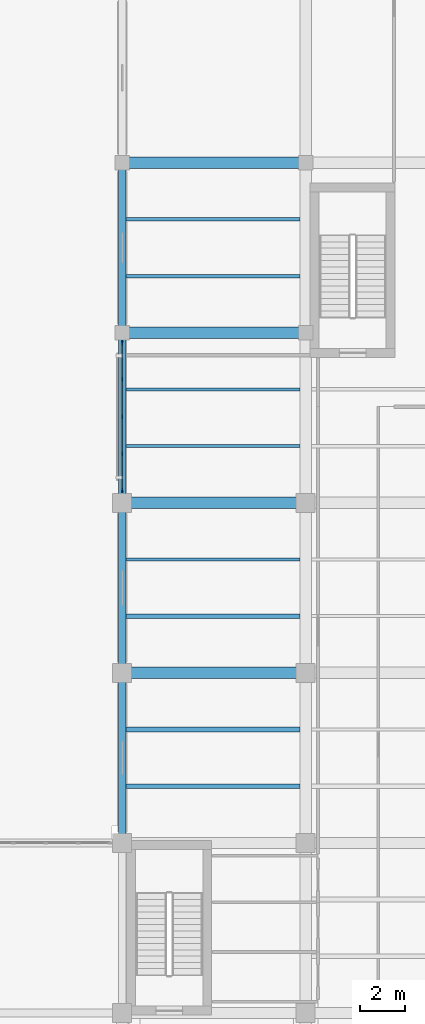
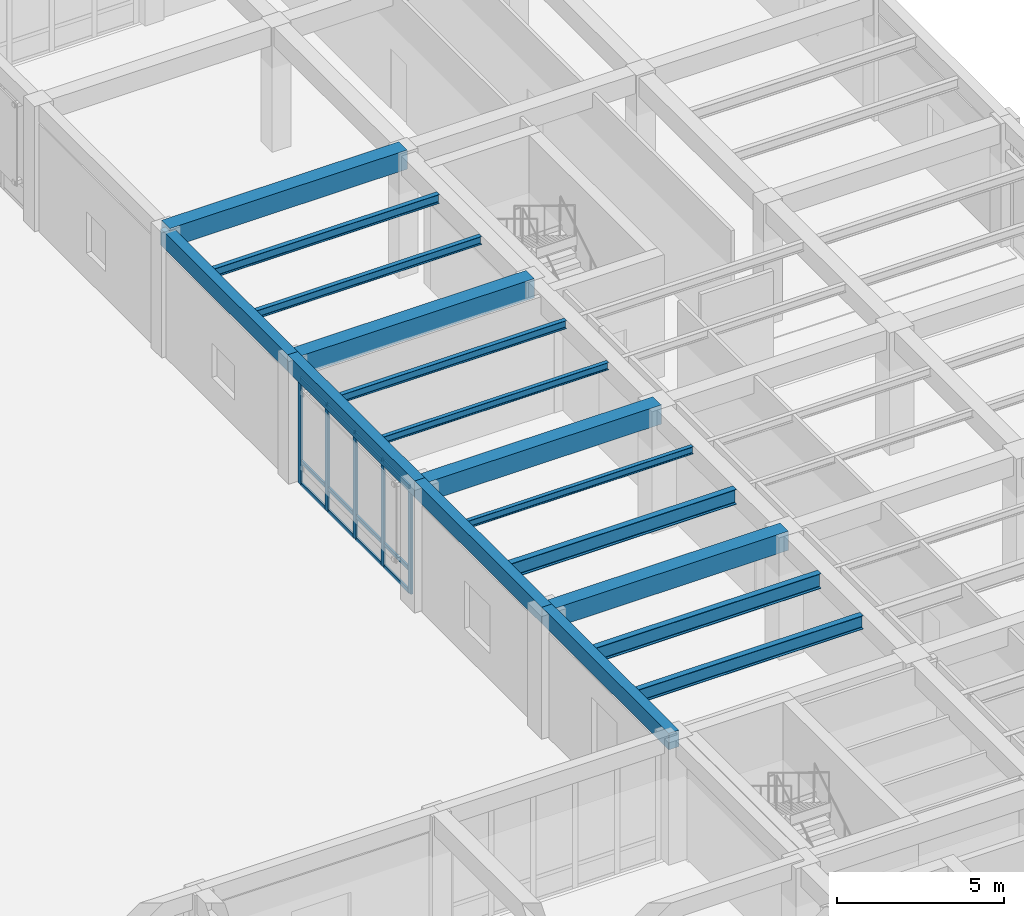
# One storey, part 5 of 23: 17 members, 16 beams, 1 element without a shape of its own.
"""IFC4 building model written with IfcOpenShell, lengths in metres."""

from ifc_helpers import new_model, si_unit, direction, frame, origin, origin_2d, place, context, subcontext, project, spatial, rectangle, i_section, extrude, material, material_profile, profile_set, type_object, element, aggregate, save


model = new_model("IFC4")

# Units and contexts
model_context = context("Model", 3, precision=1e-05, world=origin(), true_north=direction((0.0, 1.0)))
body_context = subcontext(model_context, "Body", "Model", "MODEL_VIEW")
ifc_project = project(units=[si_unit("LENGTHUNIT", "METRE"), si_unit("AREAUNIT", "SQUARE_METRE"), si_unit("VOLUMEUNIT", "CUBIC_METRE"), si_unit("PLANEANGLEUNIT", "RADIAN"), si_unit("MASSUNIT", "GRAM", prefix="KILO")], contexts=[model_context])

# Site, building, storey
site_placement = place(None, origin())
site = spatial("IfcSite", under=ifc_project, at=site_placement, CompositionType="ELEMENT")
building_placement = place(site_placement, origin())
building = spatial("IfcBuilding", under=site, at=building_placement, Name="Qandaris Square Conservatory and Botanical Centre", CompositionType="ELEMENT")
storey_placement = place(building_placement, frame((0.0, 0.0, 15.0)))
storey = spatial("IfcBuildingStorey", under=building, at=storey_placement, Name="L03", CompositionType="ELEMENT", Elevation=15.0)

# Beams
ifc_material_1 = material(Name="Steel S355", Category="steel")
ifc_material_profile_1 = material_profile(ifc_material_1, i_section(OverallWidth=0.199951171875, OverallDepth=0.5, WebThickness=0.01025390625, FlangeThickness=0.01611328125, FilletRadius=0.02099609375, at=origin_2d()), Name="IPE 500")
ifc_profile_set_1 = profile_set([ifc_material_profile_1], Name="Steel S355")
beam_type_1 = type_object("IfcBeamType", Name="Composite Gallery Joist IPE 500", PredefinedType="JOIST", material=ifc_profile_set_1)
beam_1_placement = place(storey_placement, frame((139.375, 49.533203125, 4.219970703125), z_axis=(1.0, 0.0, 0.0), x_axis=(0.0, 1.0, 0.0)))
element("IfcBeam", 1, at=beam_1_placement, inside=storey, type_object=beam_type_1, Name="L03 Composite Joist 1654", PredefinedType="JOIST", context=body_context, shape_type="SweptSolid", body=[
    extrude(i_section(OverallWidth=0.199951171875, OverallDepth=0.5, WebThickness=0.01025390625, FlangeThickness=0.01611328125, FilletRadius=0.02099609375, at=origin_2d()), origin(), (0.0, 0.0, 1.0), 7.77490234375),
])
ifc_material_profile_2 = material_profile(ifc_material_1, i_section(OverallWidth=0.14990234375, OverallDepth=0.300048828125, WebThickness=0.007080078125, FlangeThickness=0.0107421875, FilletRadius=0.014892578125, at=origin_2d()), Name="IPE 300")
ifc_profile_set_2 = profile_set([ifc_material_profile_2], Name="Steel S355")
beam_type_2 = type_object("IfcBeamType", Name="Composite Lab Joist IPE 300", PredefinedType="JOIST", material=ifc_profile_set_2)
for number, where, z_axis, x_axis, name in (
    (2, (139.375, 67.2666015625, 4.320068359375), (1.0, 0.0, 0.0), (0.0, 1.0, 0.0), "L03 Composite Joist 1659"),
    (3, (139.375, 72.333251953125, 4.320068359375), (1.0, 0.0, 0.0), (0.0, 1.0, 0.0), "L03 Composite Joist 1660"),
):
    element("IfcBeam", number, at=place(storey_placement, frame(where, z_axis=z_axis, x_axis=x_axis)), inside=storey, type_object=beam_type_2, Name=name, PredefinedType="JOIST", context=body_context, shape_type="SweptSolid", body=[
        extrude(i_section(OverallWidth=0.14990234375, OverallDepth=0.300048828125, WebThickness=0.007080078125, FlangeThickness=0.0107421875, FilletRadius=0.014892578125, at=origin_2d()), origin(), (0.0, 0.0, 1.0), 7.77490234375),
    ])
ifc_material_profile_3 = material_profile(ifc_material_1, i_section(OverallWidth=0.159912109375, OverallDepth=0.330078125, WebThickness=0.007568359375, FlangeThickness=0.011474609375, FilletRadius=0.01806640625, at=origin_2d()), Name="IPE 330")
ifc_profile_set_3 = profile_set([ifc_material_profile_3], Name="Steel S355")
beam_type_3 = type_object("IfcBeamType", Name="Composite Lab Joist IPE 330", PredefinedType="JOIST", material=ifc_profile_set_3)
beam_2_placement = place(storey_placement, frame((139.375, 74.86669921875, 4.304931640625), z_axis=(1.0, 0.0, 0.0), x_axis=(0.0, 1.0, 0.0)))
element("IfcBeam", 4, at=beam_2_placement, inside=storey, type_object=beam_type_3, Name="L03 Composite Joist 1661", PredefinedType="JOIST", context=body_context, shape_type="SweptSolid", body=[
    extrude(i_section(OverallWidth=0.159912109375, OverallDepth=0.330078125, WebThickness=0.007568359375, FlangeThickness=0.011474609375, FilletRadius=0.01806640625, at=origin_2d()), origin(), (0.0, 0.0, 1.0), 7.77490234375),
])

# Curtain wall, members
ifc_material_2 = material(Name="Anodised Aluminium", Category="aluminium")
curtain_wall_type = type_object("IfcCurtainWallType", Name="Unitised Curtain Wall CW-4-665x388", PredefinedType="USERDEFINED", material=ifc_material_2)
curtain_wall_placement = place(storey_placement, origin())
curtain_wall = element("IfcCurtainWall", 5, at=curtain_wall_placement, inside=storey, type_object=curtain_wall_type, Name="Curtain Wall CW-TWR-L03-4-4", ObjectType="GLAZED CURTAIN WALL", PredefinedType="USERDEFINED")
ifc_material_profile_4 = material_profile(ifc_material_2, rectangle(XDim=0.06494140625, YDim=0.179931640625, at=origin_2d()), Name="ALU-MUL 65x180")
ifc_profile_set_4 = profile_set([ifc_material_profile_4], Name="Anodised Aluminium")
member_type_1 = type_object("IfcMemberType", Name="Curtain Wall Mullion 65x180", PredefinedType="MULLION", material=ifc_profile_set_4)
member_1_placement = place(storey_placement, frame((139.199951171875, 69.342529296875, 0.0), z_axis=(0.0, 0.0, 1.0), x_axis=(1.0, 0.0, 0.0)))
member_1 = element("IfcMember", 6, at=member_1_placement, type_object=member_type_1, Name="CW-4-665x388 mullion 1", PredefinedType="MULLION", context=body_context, shape_type="SweptSolid", body=[
    extrude(rectangle(XDim=0.06494140625, YDim=0.179931640625, at=origin_2d()), origin(), (0.0, 0.0, 1.0), 3.8798828125),
])
member_2_placement = place(storey_placement, frame((139.199951171875, 67.71240234375, 0.0), z_axis=(0.0, 0.0, 1.0), x_axis=(1.0, 0.0, 0.0)))
member_2 = element("IfcMember", 7, at=member_2_placement, type_object=member_type_1, Name="CW-4-665x388 mullion 2", PredefinedType="MULLION", context=body_context, shape_type="SweptSolid", body=[
    extrude(rectangle(XDim=0.06494140625, YDim=0.179931640625, at=origin_2d()), origin(), (0.0, 0.0, 1.0), 3.8798828125),
])
member_3_placement = place(storey_placement, frame((139.199951171875, 66.050048828125, 0.0), z_axis=(0.0, 0.0, 1.0), x_axis=(1.0, 0.0, 0.0)))
member_3 = element("IfcMember", 8, at=member_3_placement, type_object=member_type_1, Name="CW-4-665x388 mullion 3", PredefinedType="MULLION", context=body_context, shape_type="SweptSolid", body=[
    extrude(rectangle(XDim=0.06494140625, YDim=0.179931640625, at=origin_2d()), origin(), (0.0, 0.0, 1.0), 3.8798828125),
])
member_4_placement = place(storey_placement, frame((139.199951171875, 64.387451171875, 0.0), z_axis=(0.0, 0.0, 1.0), x_axis=(1.0, 0.0, 0.0)))
member_4 = element("IfcMember", 9, at=member_4_placement, type_object=member_type_1, Name="CW-4-665x388 mullion 4", PredefinedType="MULLION", context=body_context, shape_type="SweptSolid", body=[
    extrude(rectangle(XDim=0.06494140625, YDim=0.179931640625, at=origin_2d()), origin(), (0.0, 0.0, 1.0), 3.8798828125),
])
member_5_placement = place(storey_placement, frame((139.199951171875, 62.757568359375, 0.0), z_axis=(0.0, 0.0, 1.0), x_axis=(1.0, 0.0, 0.0)))
member_5 = element("IfcMember", 10, at=member_5_placement, type_object=member_type_1, Name="CW-4-665x388 mullion 5", PredefinedType="MULLION", context=body_context, shape_type="SweptSolid", body=[
    extrude(rectangle(XDim=0.06494140625, YDim=0.179931640625, at=origin_2d()), origin(), (0.0, 0.0, 1.0), 3.8798828125),
])
ifc_material_profile_5 = material_profile(ifc_material_2, rectangle(XDim=0.06494140625, YDim=0.139892578125, at=origin_2d()), Name="ALU-TRN 65x140")
ifc_profile_set_5 = profile_set([ifc_material_profile_5], Name="Anodised Aluminium")
member_type_2 = type_object("IfcMemberType", Name="Curtain Wall Transom 65x140", PredefinedType="USERDEFINED", material=ifc_profile_set_5)
member_6_placement = place(storey_placement, frame((139.199951171875, 69.31005859375, 0.032470703125), z_axis=(0.0, -1.0, 0.0), x_axis=(1.0, 0.0, 0.0)))
member_6 = element("IfcMember", 11, at=member_6_placement, type_object=member_type_2, Name="CW-4-665x388 transom 1.1", ObjectType="TRANSOM", PredefinedType="USERDEFINED", context=body_context, shape_type="SweptSolid", body=[
    extrude(rectangle(XDim=0.06494140625, YDim=0.139892578125, at=origin_2d()), origin(), (0.0, 0.0, 1.0), 1.56494140625),
])
member_7_placement = place(storey_placement, frame((139.199951171875, 69.31005859375, 0.85009765625), z_axis=(0.0, -1.0, 0.0), x_axis=(1.0, 0.0, 0.0)))
member_7 = element("IfcMember", 12, at=member_7_placement, type_object=member_type_2, Name="CW-4-665x388 transom 1.2", ObjectType="TRANSOM", PredefinedType="USERDEFINED", context=body_context, shape_type="SweptSolid", body=[
    extrude(rectangle(XDim=0.06494140625, YDim=0.139892578125, at=origin_2d()), origin(), (0.0, 0.0, 1.0), 1.56494140625),
])
member_8_placement = place(storey_placement, frame((139.199951171875, 69.31005859375, 3.847412109375), z_axis=(0.0, -1.0, 0.0), x_axis=(1.0, 0.0, 0.0)))
member_8 = element("IfcMember", 13, at=member_8_placement, type_object=member_type_2, Name="CW-4-665x388 transom 1.3", ObjectType="TRANSOM", PredefinedType="USERDEFINED", context=body_context, shape_type="SweptSolid", body=[
    extrude(rectangle(XDim=0.06494140625, YDim=0.139892578125, at=origin_2d()), origin(), (0.0, 0.0, 1.0), 1.56494140625),
])
member_9_placement = place(storey_placement, frame((139.199951171875, 67.679931640625, 0.032470703125), z_axis=(0.0, -1.0, 0.0), x_axis=(1.0, 0.0, 0.0)))
member_9 = element("IfcMember", 14, at=member_9_placement, type_object=member_type_2, Name="CW-4-665x388 transom 2.1", ObjectType="TRANSOM", PredefinedType="USERDEFINED", context=body_context, shape_type="SweptSolid", body=[
    extrude(rectangle(XDim=0.06494140625, YDim=0.139892578125, at=origin_2d()), origin(), (0.0, 0.0, 1.0), 1.597412109375),
])
member_10_placement = place(storey_placement, frame((139.199951171875, 67.679931640625, 0.85009765625), z_axis=(0.0, -1.0, 0.0), x_axis=(1.0, 0.0, 0.0)))
member_10 = element("IfcMember", 15, at=member_10_placement, type_object=member_type_2, Name="CW-4-665x388 transom 2.2", ObjectType="TRANSOM", PredefinedType="USERDEFINED", context=body_context, shape_type="SweptSolid", body=[
    extrude(rectangle(XDim=0.06494140625, YDim=0.139892578125, at=origin_2d()), origin(), (0.0, 0.0, 1.0), 1.597412109375),
])
member_11_placement = place(storey_placement, frame((139.199951171875, 67.679931640625, 3.847412109375), z_axis=(0.0, -1.0, 0.0), x_axis=(1.0, 0.0, 0.0)))
member_11 = element("IfcMember", 16, at=member_11_placement, type_object=member_type_2, Name="CW-4-665x388 transom 2.3", ObjectType="TRANSOM", PredefinedType="USERDEFINED", context=body_context, shape_type="SweptSolid", body=[
    extrude(rectangle(XDim=0.06494140625, YDim=0.139892578125, at=origin_2d()), origin(), (0.0, 0.0, 1.0), 1.597412109375),
])
member_12_placement = place(storey_placement, frame((139.199951171875, 66.017578125, 0.032470703125), z_axis=(0.0, -1.0, 0.0), x_axis=(1.0, 0.0, 0.0)))
member_12 = element("IfcMember", 17, at=member_12_placement, type_object=member_type_2, Name="CW-4-665x388 transom 3.1", ObjectType="TRANSOM", PredefinedType="USERDEFINED", context=body_context, shape_type="SweptSolid", body=[
    extrude(rectangle(XDim=0.06494140625, YDim=0.139892578125, at=origin_2d()), origin(), (0.0, 0.0, 1.0), 1.59765625),
])
member_13_placement = place(storey_placement, frame((139.199951171875, 66.017578125, 0.85009765625), z_axis=(0.0, -1.0, 0.0), x_axis=(1.0, 0.0, 0.0)))
member_13 = element("IfcMember", 18, at=member_13_placement, type_object=member_type_2, Name="CW-4-665x388 transom 3.2", ObjectType="TRANSOM", PredefinedType="USERDEFINED", context=body_context, shape_type="SweptSolid", body=[
    extrude(rectangle(XDim=0.06494140625, YDim=0.139892578125, at=origin_2d()), origin(), (0.0, 0.0, 1.0), 1.59765625),
])
member_14_placement = place(storey_placement, frame((139.199951171875, 66.017578125, 3.847412109375), z_axis=(0.0, -1.0, 0.0), x_axis=(1.0, 0.0, 0.0)))
member_14 = element("IfcMember", 19, at=member_14_placement, type_object=member_type_2, Name="CW-4-665x388 transom 3.3", ObjectType="TRANSOM", PredefinedType="USERDEFINED", context=body_context, shape_type="SweptSolid", body=[
    extrude(rectangle(XDim=0.06494140625, YDim=0.139892578125, at=origin_2d()), origin(), (0.0, 0.0, 1.0), 1.59765625),
])
member_15_placement = place(storey_placement, frame((139.199951171875, 64.35498046875, 0.032470703125), z_axis=(0.0, -1.0, 0.0), x_axis=(1.0, 0.0, 0.0)))
member_15 = element("IfcMember", 20, at=member_15_placement, type_object=member_type_2, Name="CW-4-665x388 transom 4.1", ObjectType="TRANSOM", PredefinedType="USERDEFINED", context=body_context, shape_type="SweptSolid", body=[
    extrude(rectangle(XDim=0.06494140625, YDim=0.139892578125, at=origin_2d()), origin(), (0.0, 0.0, 1.0), 1.56494140625),
])
member_16_placement = place(storey_placement, frame((139.199951171875, 64.35498046875, 0.85009765625), z_axis=(0.0, -1.0, 0.0), x_axis=(1.0, 0.0, 0.0)))
member_16 = element("IfcMember", 21, at=member_16_placement, type_object=member_type_2, Name="CW-4-665x388 transom 4.2", ObjectType="TRANSOM", PredefinedType="USERDEFINED", context=body_context, shape_type="SweptSolid", body=[
    extrude(rectangle(XDim=0.06494140625, YDim=0.139892578125, at=origin_2d()), origin(), (0.0, 0.0, 1.0), 1.56494140625),
])
member_17_placement = place(storey_placement, frame((139.199951171875, 64.35498046875, 3.847412109375), z_axis=(0.0, -1.0, 0.0), x_axis=(1.0, 0.0, 0.0)))
member_17 = element("IfcMember", 22, at=member_17_placement, type_object=member_type_2, Name="CW-4-665x388 transom 4.3", ObjectType="TRANSOM", PredefinedType="USERDEFINED", context=body_context, shape_type="SweptSolid", body=[
    extrude(rectangle(XDim=0.06494140625, YDim=0.139892578125, at=origin_2d()), origin(), (0.0, 0.0, 1.0), 1.56494140625),
])
aggregate(curtain_wall, [member_1, member_2, member_3, member_4, member_5, member_6, member_7, member_8, member_9, member_10, member_11, member_12, member_13, member_14, member_15, member_16, member_17])

# Beams
ifc_material_profile_6 = material_profile(ifc_material_1, i_section(OverallWidth=0.2099609375, OverallDepth=0.550048828125, WebThickness=0.010986328125, FlangeThickness=0.01708984375, FilletRadius=0.02392578125, at=origin_2d()), Name="IPE 550")
ifc_profile_set_6 = profile_set([ifc_material_profile_6], Name="Steel S355")
beam_type_4 = type_object("IfcBeamType", Name="Long-Span Foyer Joist IPE 550", PredefinedType="JOIST", material=ifc_profile_set_6)
for number, where, z_axis, x_axis, name in (
    (23, (139.375, 52.066650390625, 4.195068359375), (1.0, 0.0, 0.0), (0.0, 1.0, 0.0), "L03 Composite Joist 1655"),
    (24, (139.375, 57.13330078125, 4.195068359375), (1.0, 0.0, 0.0), (0.0, 1.0, 0.0), "L03 Composite Joist 1656"),
):
    element("IfcBeam", number, at=place(storey_placement, frame(where, z_axis=z_axis, x_axis=x_axis)), inside=storey, type_object=beam_type_4, Name=name, PredefinedType="JOIST", context=body_context, shape_type="SweptSolid", body=[
        extrude(i_section(OverallWidth=0.2099609375, OverallDepth=0.550048828125, WebThickness=0.010986328125, FlangeThickness=0.01708984375, FilletRadius=0.02392578125, at=origin_2d()), origin(), (0.0, 0.0, 1.0), 7.77490234375),
    ])
ifc_material_3 = material(Name="Concrete C50/60", Category="concrete")
ifc_material_profile_7 = material_profile(ifc_material_3, rectangle(XDim=0.35009765625, YDim=0.60009765625, at=origin_2d()), Name="RC-SP 350x600")
ifc_profile_set_7 = profile_set([ifc_material_profile_7], Name="Concrete C50/60")
beam_type_5 = type_object("IfcBeamType", Name="RC Edge Spandrel Beam 350x600", PredefinedType="SPANDREL", material=ifc_profile_set_7)
beam_3_placement = place(storey_placement, frame((139.199951171875, 47.0, 4.179931640625), z_axis=(0.0, 1.0, 0.0), x_axis=(-1.0, 0.0, 0.0)))
element("IfcBeam", 25, at=beam_3_placement, inside=storey, type_object=beam_type_5, Name="L03 Frame Beam 1597", PredefinedType="SPANDREL", context=body_context, shape_type="SweptSolid", body=[
    extrude(rectangle(XDim=0.35009765625, YDim=0.60009765625, at=origin_2d()), origin(), (0.0, 0.0, 1.0), 7.60009765625),
])
beam_4_placement = place(storey_placement, frame((139.199951171875, 54.60009765625, 4.179931640625), z_axis=(0.0, 1.0, 0.0), x_axis=(-1.0, 0.0, 0.0)))
element("IfcBeam", 26, at=beam_4_placement, inside=storey, type_object=beam_type_5, Name="L03 Frame Beam 1598", PredefinedType="SPANDREL", context=body_context, shape_type="SweptSolid", body=[
    extrude(rectangle(XDim=0.35009765625, YDim=0.60009765625, at=origin_2d()), origin(), (0.0, 0.0, 1.0), 7.599853515625),
])
beam_5_placement = place(storey_placement, frame((139.199951171875, 62.199951171875, 4.179931640625), z_axis=(0.0, 1.0, 0.0), x_axis=(-1.0, 0.0, 0.0)))
element("IfcBeam", 27, at=beam_5_placement, inside=storey, type_object=beam_type_5, Name="L03 Frame Beam 1599", PredefinedType="SPANDREL", context=body_context, shape_type="SweptSolid", body=[
    extrude(rectangle(XDim=0.35009765625, YDim=0.60009765625, at=origin_2d()), origin(), (0.0, 0.0, 1.0), 7.60009765625),
])
beam_6_placement = place(storey_placement, frame((139.199951171875, 69.800048828125, 4.179931640625), z_axis=(0.0, 1.0, 0.0), x_axis=(-1.0, 0.0, 0.0)))
element("IfcBeam", 28, at=beam_6_placement, inside=storey, type_object=beam_type_5, Name="L03 Frame Beam 1600", PredefinedType="SPANDREL", context=body_context, shape_type="SweptSolid", body=[
    extrude(rectangle(XDim=0.35009765625, YDim=0.60009765625, at=origin_2d()), origin(), (0.0, 0.0, 1.0), 7.599853515625),
])
ifc_material_profile_8 = material_profile(ifc_material_3, rectangle(XDim=0.5, YDim=0.699951171875, at=origin_2d()), Name="RC-BM 500x700")
ifc_profile_set_8 = profile_set([ifc_material_profile_8], Name="Concrete C50/60")
beam_type_6 = type_object("IfcBeamType", Name="RC Floor Girder 500x700", PredefinedType="BEAM", material=ifc_profile_set_8)
for number, where, z_axis, x_axis, name in (
    (29, (139.199951171875, 54.60009765625, 4.1298828125), (1.0, 0.0, 0.0), (0.0, 1.0, 0.0), "L03 Frame Beam 1564"),
    (30, (139.199951171875, 62.199951171875, 4.1298828125), (1.0, 0.0, 0.0), (0.0, 1.0, 0.0), "L03 Frame Beam 1567"),
    (31, (139.199951171875, 69.800048828125, 4.1298828125), (1.0, 0.0, 0.0), (0.0, 1.0, 0.0), "L03 Frame Beam 1570"),
    (32, (139.199951171875, 77.39990234375, 4.219970703125), (1.0, 0.0, 0.0), (0.0, 1.0, 0.0), "L03 Frame Beam 1572"),
):
    element("IfcBeam", number, at=place(storey_placement, frame(where, z_axis=z_axis, x_axis=x_axis)), inside=storey, type_object=beam_type_6, Name=name, PredefinedType="BEAM", context=body_context, shape_type="SweptSolid", body=[
        extrude(rectangle(XDim=0.5, YDim=0.699951171875, at=origin_2d()), origin(), (0.0, 0.0, 1.0), 8.199951171875),
    ])
ifc_material_profile_9 = material_profile(ifc_material_1, i_section(OverallWidth=0.135009765625, OverallDepth=0.27001953125, WebThickness=0.006591796875, FlangeThickness=0.01025390625, FilletRadius=0.014892578125, at=origin_2d()), Name="IPE 270")
ifc_profile_set_9 = profile_set([ifc_material_profile_9], Name="Steel S355")
beam_type_7 = type_object("IfcBeamType", Name="Steel Floor Joist IPE 270", PredefinedType="JOIST", material=ifc_profile_set_9)
for number, where, z_axis, x_axis, name in (
    (33, (139.375, 59.666748046875, 4.3349609375), (1.0, 0.0, 0.0), (0.0, 1.0, 0.0), "L03 Composite Joist 1657"),
    (34, (139.375, 64.7333984375, 4.3349609375), (1.0, 0.0, 0.0), (0.0, 1.0, 0.0), "L03 Composite Joist 1658"),
):
    element("IfcBeam", number, at=place(storey_placement, frame(where, z_axis=z_axis, x_axis=x_axis)), inside=storey, type_object=beam_type_7, Name=name, PredefinedType="JOIST", context=body_context, shape_type="SweptSolid", body=[
        extrude(i_section(OverallWidth=0.135009765625, OverallDepth=0.27001953125, WebThickness=0.006591796875, FlangeThickness=0.01025390625, FilletRadius=0.014892578125, at=origin_2d()), origin(), (0.0, 0.0, 1.0), 7.77490234375),
    ])

save(model, "model.ifc")
